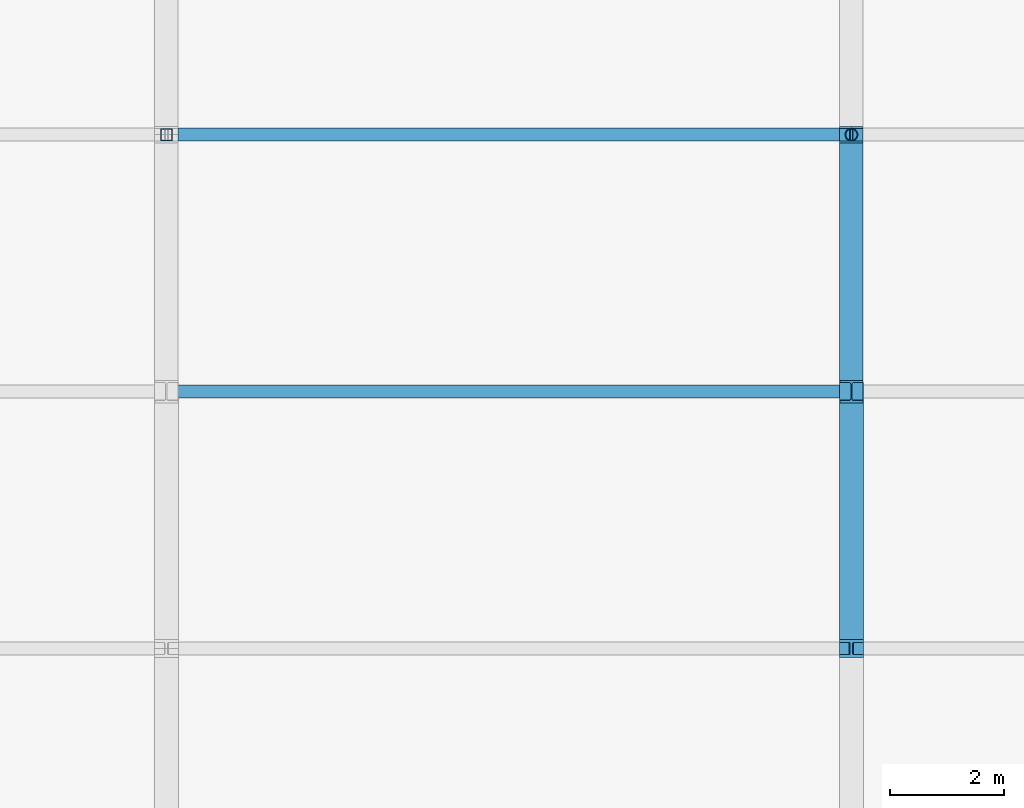
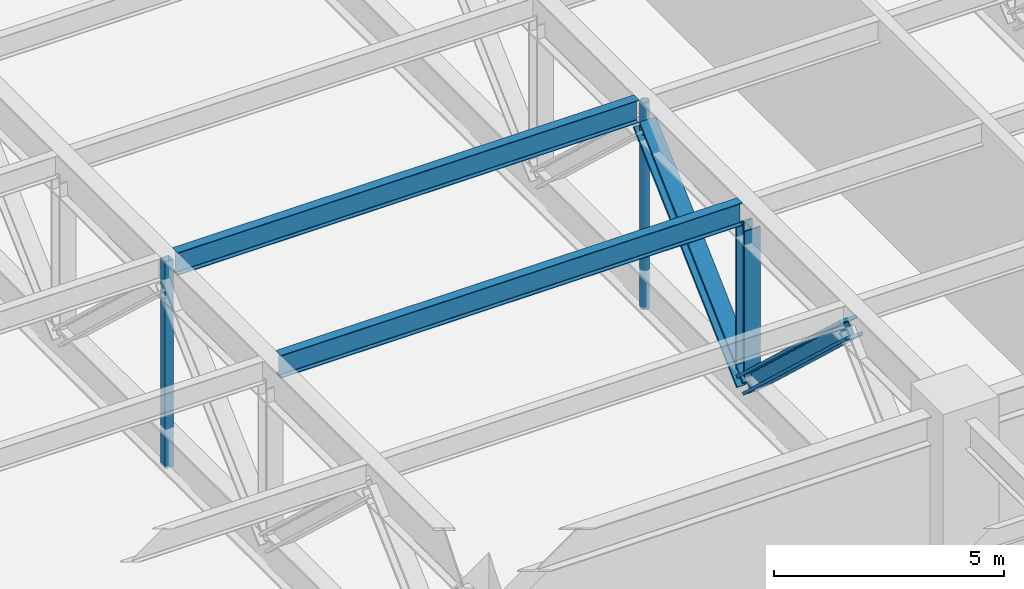
# One storey, part 31 of 108: 5 members, 2 beams.
"""IFC4 building model written with IfcOpenShell, lengths in metres."""

from ifc_helpers import new_model, si_unit, direction, frame, origin, origin_2d, place, context, subcontext, project, spatial, hollow_rectangle, hollow_circle, i_section, extrude, material, material_profile, profile_set, type_object, element, save


model = new_model("IFC4")

# Units and contexts
model_context = context("Model", 3, precision=1e-05, world=origin(), true_north=direction((0.0, 1.0)))
body_context = subcontext(model_context, "Body", "Model", "MODEL_VIEW")
ifc_project = project(units=[si_unit("LENGTHUNIT", "METRE"), si_unit("AREAUNIT", "SQUARE_METRE"), si_unit("VOLUMEUNIT", "CUBIC_METRE"), si_unit("PLANEANGLEUNIT", "RADIAN"), si_unit("MASSUNIT", "GRAM", prefix="KILO")], contexts=[model_context])

# Site, building, storey
site_placement = place(None, origin())
site = spatial("IfcSite", under=ifc_project, at=site_placement, CompositionType="ELEMENT")
building_placement = place(site_placement, origin())
building = spatial("IfcBuilding", under=site, at=building_placement, Name="Kaldorvane Square Convention Centre", CompositionType="ELEMENT")
storey_placement = place(building_placement, frame((0.0, 0.0, 12.0)))
storey = spatial("IfcBuildingStorey", under=building, at=storey_placement, Name="L02", CompositionType="ELEMENT", Elevation=12.0)

# Beams
ifc_material_1 = material(Name="Steel ASTM A992 Gr. 50", Category="steel")
ifc_material_profile_1 = material_profile(ifc_material_1, i_section(OverallWidth=0.2277069091796875, OverallDepth=0.6027069091796875, WebThickness=0.010498046875, FlangeThickness=0.014892578125, FilletRadius=0.0126953125, at=origin_2d()), Name="W24X68")
ifc_profile_set_1 = profile_set([ifc_material_profile_1], Name="Steel ASTM A992 Gr. 50")
beam_type = type_object("IfcBeamType", Name="BM-JS-W24X68", PredefinedType="JOIST", material=ifc_profile_set_1)
for number, where, z_axis, x_axis, name in (
    (1, (66.20249938964844, 27.0, 5.3446044921875), (1.0, 0.0, 0.0), (0.0, 1.0, 0.0), "Hall Composite Floor Joist (L02)"),
    (2, (66.20249938964844, 31.5, 5.3446044921875), (1.0, 0.0, 0.0), (0.0, 1.0, 0.0), "Hall Composite Floor Joist (L02)"),
):
    element("IfcBeam", number, at=place(storey_placement, frame(where, z_axis=z_axis, x_axis=x_axis)), inside=storey, type_object=beam_type, Name=name, PredefinedType="JOIST", context=body_context, shape_type="SweptSolid", body=[
        extrude(i_section(OverallWidth=0.2277069091796875, OverallDepth=0.6027069091796875, WebThickness=0.010498046875, FlangeThickness=0.014892578125, FilletRadius=0.0126953125, at=origin_2d()), origin(), (0.0, 0.0, 1.0), 11.595001220703125),
    ])

# Members
ifc_material_profile_2 = material_profile(ifc_material_1, i_section(OverallWidth=0.412200927734375, OverallDepth=0.4347991943359375, WebThickness=0.035797119140625, FlangeThickness=0.057403564453125, FilletRadius=0.0305023193359375, at=origin_2d()), Name="W14X311")
ifc_profile_set_2 = profile_set([ifc_material_profile_2], Name="Steel ASTM A992 Gr. 50")
member_type_1 = type_object("IfcMemberType", Name="MB-BR-W14X311", PredefinedType="BRACE", material=ifc_profile_set_2)
member_1_placement = place(storey_placement, frame((78.0, 27.0, 0.7299957275390625), z_axis=(0.0, 0.731436442842, 0.681909620172), x_axis=(-1.0, 0.0, 0.0)))
element("IfcMember", 3, at=member_1_placement, inside=storey, type_object=member_type_1, Name="Transfer Truss TT-05 Web Diagonal 2A", PredefinedType="BRACE", context=body_context, shape_type="SweptSolid", body=[
    extrude(i_section(OverallWidth=0.412200927734375, OverallDepth=0.4347991943359375, WebThickness=0.035797119140625, FlangeThickness=0.057403564453125, FilletRadius=0.0305023193359375, at=origin_2d()), origin(), (0.0, 0.0, 1.0), 6.15228271484375),
])
ifc_material_profile_3 = material_profile(ifc_material_1, i_section(OverallWidth=0.4214019775390625, OverallDepth=0.4647979736328125, WebThickness=0.0449981689453125, FlangeThickness=0.072296142578125, FilletRadius=0.0305023193359375, at=origin_2d()), Name="W14X398")
ifc_profile_set_3 = profile_set([ifc_material_profile_3], Name="Steel ASTM A992 Gr. 50")
member_type_2 = type_object("IfcMemberType", Name="MB-BR-W14X398", PredefinedType="BRACE", material=ifc_profile_set_3)
member_2_placement = place(storey_placement, frame((78.0, 22.5, 4.92529296875), z_axis=(0.0, 0.731436442842, -0.681909620172), x_axis=(-1.0, 0.0, 0.0)))
element("IfcMember", 4, at=member_2_placement, inside=storey, type_object=member_type_2, Name="Transfer Truss TT-05 Web Diagonal 1B", PredefinedType="BRACE", context=body_context, shape_type="SweptSolid", body=[
    extrude(i_section(OverallWidth=0.4214019775390625, OverallDepth=0.4647979736328125, WebThickness=0.0449981689453125, FlangeThickness=0.072296142578125, FilletRadius=0.0305023193359375, at=origin_2d()), origin(), (0.0, 0.0, 1.0), 6.15228271484375),
])
ifc_material_2 = material(Name="Steel ASTM A500 Gr. C", Category="steel")
ifc_material_profile_4 = material_profile(ifc_material_2, hollow_circle(Radius=0.1095428466796875, WallThickness=0.0088958740234375, at=origin_2d()), Name="HSS8.625X0.375")
ifc_profile_set_4 = profile_set([ifc_material_profile_4], Name="Steel ASTM A500 Gr. C")
member_type_3 = type_object("IfcMemberType", Name="MB-PS-CHS8", PredefinedType="POST", material=ifc_profile_set_4)
member_3_placement = place(storey_placement, frame((78.0, 31.5, 0.0), z_axis=(0.0, 0.0, 1.0), x_axis=(1.0, 0.0, 0.0)))
element("IfcMember", 5, at=member_3_placement, inside=storey, type_object=member_type_3, Name="Plenum Structural Post 05", PredefinedType="POST", context=body_context, shape_type="SweptSolid", body=[
    extrude(hollow_circle(Radius=0.1095428466796875, WallThickness=0.0088958740234375, at=origin_2d()), origin(), (0.0, 0.0, 1.0), 5.5),
])
ifc_material_profile_5 = material_profile(ifc_material_2, hollow_rectangle(XDim=0.2032012939453125, YDim=0.2032012939453125, WallThickness=0.0088958740234375, at=origin_2d()), Name="HSS8X8X3/8")
ifc_profile_set_5 = profile_set([ifc_material_profile_5], Name="Steel ASTM A500 Gr. C")
member_type_4 = type_object("IfcMemberType", Name="MB-PS-HSS8", PredefinedType="POST", material=ifc_profile_set_5)
member_4_placement = place(storey_placement, frame((66.0, 31.5, 0.0), z_axis=(0.0, 0.0, 1.0), x_axis=(1.0, 0.0, 0.0)))
element("IfcMember", 6, at=member_4_placement, inside=storey, type_object=member_type_4, Name="Plenum Structural Post 04", PredefinedType="POST", context=body_context, shape_type="SweptSolid", body=[
    extrude(hollow_rectangle(XDim=0.2032012939453125, YDim=0.2032012939453125, WallThickness=0.0088958740234375, at=origin_2d()), origin(), (0.0, 0.0, 1.0), 5.5),
])
ifc_material_profile_6 = material_profile(ifc_material_1, i_section(OverallWidth=0.3990020751953125, OverallDepth=0.3932037353515625, WebThickness=0.0225982666015625, FlangeThickness=0.0366058349609375, FilletRadius=0.0305023193359375, at=origin_2d()), Name="W14X193")
ifc_profile_set_6 = profile_set([ifc_material_profile_6], Name="Steel ASTM A992 Gr. 50")
member_type_5 = type_object("IfcMemberType", Name="MB-PS-W14X193", PredefinedType="POST", material=ifc_profile_set_6)
member_5_placement = place(storey_placement, frame((78.0, 27.0, 1.0099945068359375), z_axis=(0.0, 0.0, 1.0), x_axis=(1.0, 0.0, 0.0)))
element("IfcMember", 7, at=member_5_placement, inside=storey, type_object=member_type_5, Name="Transfer Truss TT-05 Vertical Post 1", PredefinedType="POST", context=body_context, shape_type="SweptSolid", body=[
    extrude(i_section(OverallWidth=0.3990020751953125, OverallDepth=0.3932037353515625, WebThickness=0.0225982666015625, FlangeThickness=0.0366058349609375, FilletRadius=0.0305023193359375, at=origin_2d()), origin(), (0.0, 0.0, 1.0), 3.9152984619140625),
])

save(model, "model.ifc")
